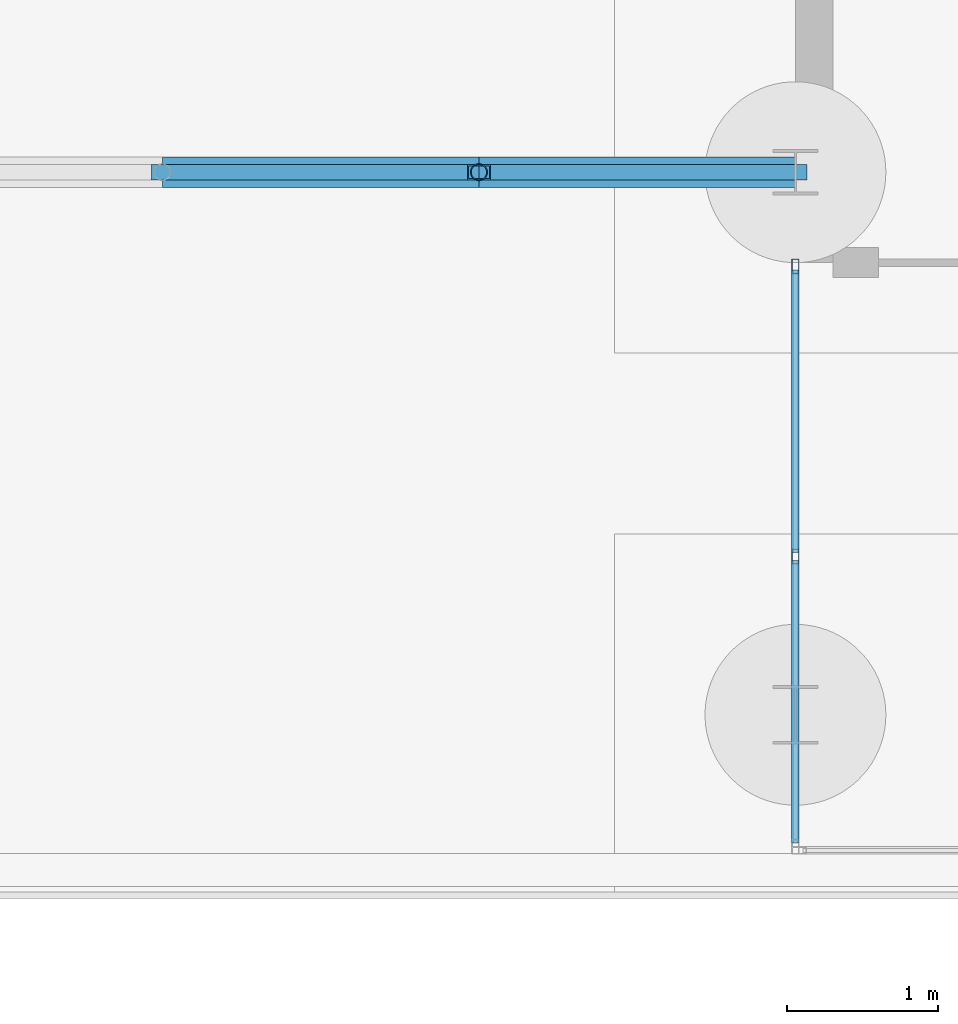
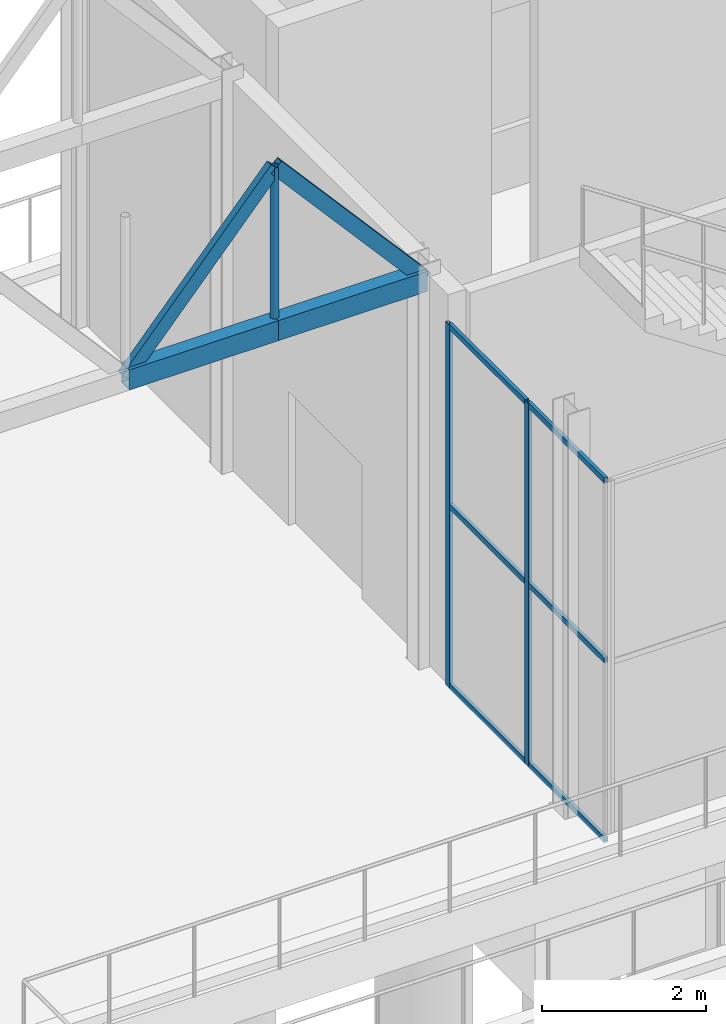
# One storey, part 121 of 212: 13 members, 1 element without a shape of its own.
"""IFC4 building model written with IfcOpenShell, lengths in metres."""

from ifc_helpers import new_model, si_unit, direction, frame, origin, origin_2d, place, context, subcontext, project, spatial, hollow_rectangle, hollow_circle, extrude, material, material_profile, profile_set, type_object, element, aggregate, save


model = new_model("IFC4")

# Units and contexts
model_context = context("Model", 3, precision=1e-05, world=origin(), true_north=direction((0.0, 1.0)))
body_context = subcontext(model_context, "Body", "Model", "MODEL_VIEW")
ifc_project = project(units=[si_unit("LENGTHUNIT", "METRE"), si_unit("AREAUNIT", "SQUARE_METRE"), si_unit("VOLUMEUNIT", "CUBIC_METRE"), si_unit("PLANEANGLEUNIT", "RADIAN"), si_unit("MASSUNIT", "GRAM", prefix="KILO")], contexts=[model_context])

# Site, building, storey
site_placement = place(None, origin())
site = spatial("IfcSite", under=ifc_project, at=site_placement, CompositionType="ELEMENT")
building_placement = place(site_placement, origin())
building = spatial("IfcBuilding", under=site, at=building_placement, Name="Catenary Quay Ferry Terminal", CompositionType="ELEMENT")
storey_placement = place(building_placement, origin())
storey = spatial("IfcBuildingStorey", under=building, at=storey_placement, Name="L00", CompositionType="ELEMENT", Elevation=0.0)

# Members
ifc_material_1 = material(Name="Steel S355", Category="steel")
ifc_material_profile_1 = material_profile(ifc_material_1, hollow_rectangle(XDim=0.10009765625, YDim=0.199951171875, WallThickness=0.008056640625, at=origin_2d()), Name="RHS 200x100x8")
ifc_profile_set_1 = profile_set([ifc_material_profile_1], Name="Steel S355")
member_type_1 = type_object("IfcMemberType", Name="BR3 RHS 200x100x8", PredefinedType="BRACE", material=ifc_profile_set_1)
member_1_placement = place(storey_placement, frame((121.800048828125, 90.0, 5.699951171875), z_axis=(0.658455827614, 0.0, 0.752619374639), x_axis=(0.0, 1.0, 0.0)))
element("IfcMember", 1, at=member_1_placement, inside=storey, type_object=member_type_1, Name="Bridge diagonal BB2S-D15", PredefinedType="BRACE", context=body_context, shape_type="SweptSolid", body=[
    extrude(hollow_rectangle(XDim=0.10009765625, YDim=0.199951171875, WallThickness=0.008056640625, at=origin_2d()), origin(), (0.0, 0.0, 1.0), 3.18896484375),
])
member_2_placement = place(storey_placement, frame((123.89990234375, 90.0, 8.10009765625), z_axis=(0.65849918825, 0.0, -0.752581436839), x_axis=(0.0, 1.0, 0.0)))
element("IfcMember", 2, at=member_2_placement, inside=storey, type_object=member_type_1, Name="Bridge diagonal BB2S-D16", PredefinedType="BRACE", context=body_context, shape_type="SweptSolid", body=[
    extrude(hollow_rectangle(XDim=0.10009765625, YDim=0.199951171875, WallThickness=0.008056640625, at=origin_2d()), origin(), (0.0, 0.0, 1.0), 3.189208984375),
])
ifc_material_2 = material(Name="Steel S355", Category="steel")
ifc_material_profile_2 = material_profile(ifc_material_2, hollow_circle(Radius=0.05712890625, WallThickness=0.00634765625, at=origin_2d()), Name="CHS 114.3x6.3")
ifc_profile_set_2 = profile_set([ifc_material_profile_2], Name="Steel S355")
member_type_2 = type_object("IfcMemberType", Name="HG1 CHS 114.3x6.3", PredefinedType="POST", material=ifc_profile_set_2)
member_3_placement = place(storey_placement, frame((123.89990234375, 90.0, 5.699951171875), z_axis=(0.0, 0.0, 1.0), x_axis=(1.0, 0.0, 0.0)))
element("IfcMember", 3, at=member_3_placement, inside=storey, type_object=member_type_2, Name="Bridge post BB2S-P16", PredefinedType="POST", context=body_context, shape_type="SweptSolid", body=[
    extrude(hollow_circle(Radius=0.05712890625, WallThickness=0.00634765625, at=origin_2d()), origin(), (0.0, 0.0, 1.0), 2.400146484375),
])

# Curtain wall, members
ifc_material_3 = material(Name="Aluminium and glass", Category="aluminium")
curtain_wall_type = type_object("IfcCurtainWallType", Name="CWK", PredefinedType="NOTDEFINED", material=ifc_material_3)
curtain_wall_placement = place(storey_placement, origin())
curtain_wall = element("IfcCurtainWall", 4, at=curtain_wall_placement, inside=storey, type_object=curtain_wall_type, Name="Head berth 2 stair curtain wall CW86", PredefinedType="NOTDEFINED")
ifc_material_4 = material(Name="Aluminium", Category="aluminium")
ifc_material_profile_3 = material_profile(ifc_material_4, hollow_rectangle(XDim=0.050048828125, YDim=0.10009765625, WallThickness=0.0048828125, at=origin_2d()), Name="MU1")
ifc_profile_set_3 = profile_set([ifc_material_profile_3], Name="Aluminium")
member_type_3 = type_object("IfcMemberType", Name="MU1", PredefinedType="MULLION", material=ifc_profile_set_3)
member_4_placement = place(storey_placement, frame((126.0, 87.449951171875, 0.0), z_axis=(0.0, 0.0, 1.0), x_axis=(-1.0, 0.0, 0.0)))
member_4 = element("IfcMember", 5, at=member_4_placement, type_object=member_type_3, Name="CW86 mullion 2", PredefinedType="MULLION", context=body_context, shape_type="SweptSolid", body=[
    extrude(hollow_rectangle(XDim=0.050048828125, YDim=0.10009765625, WallThickness=0.0048828125, at=origin_2d()), origin(), (0.0, 0.0, 1.0), 5.39990234375),
])
member_5_placement = place(storey_placement, frame((126.0, 89.375, 0.0), z_axis=(0.0, 0.0, 1.0), x_axis=(-1.0, 0.0, 0.0)))
member_5 = element("IfcMember", 6, at=member_5_placement, type_object=member_type_3, Name="CW86 mullion 3", PredefinedType="MULLION", context=body_context, shape_type="SweptSolid", body=[
    extrude(hollow_rectangle(XDim=0.050048828125, YDim=0.10009765625, WallThickness=0.0048828125, at=origin_2d()), origin(), (0.0, 0.0, 1.0), 5.39990234375),
])

# Members
ifc_material_5 = material(Name="Steel S355", Category="steel")
ifc_material_profile_4 = material_profile(ifc_material_5, hollow_rectangle(XDim=0.199951171875, YDim=0.300048828125, WallThickness=0.012451171875, at=origin_2d()), Name="RHS 300x200x12.5")
ifc_profile_set_4 = profile_set([ifc_material_profile_4], Name="Steel S355")
member_type_4 = type_object("IfcMemberType", Name="TC1 RHS 300x200x12.5", PredefinedType="CHORD", material=ifc_profile_set_4)
member_6_placement = place(storey_placement, frame((121.800048828125, 90.0, 5.699951171875), z_axis=(1.0, 0.0, 0.0), x_axis=(0.0, 1.0, 0.0)))
element("IfcMember", 7, at=member_6_placement, inside=storey, type_object=member_type_4, Name="Bridge bottom chord BB2S-BC15", PredefinedType="CHORD", context=body_context, shape_type="SweptSolid", body=[
    extrude(hollow_rectangle(XDim=0.199951171875, YDim=0.300048828125, WallThickness=0.012451171875, at=origin_2d()), origin(), (0.0, 0.0, 1.0), 2.099853515625),
])
member_7_placement = place(storey_placement, frame((123.89990234375, 90.0, 5.699951171875), z_axis=(1.0, 0.0, 0.0), x_axis=(0.0, 1.0, 0.0)))
element("IfcMember", 8, at=member_7_placement, inside=storey, type_object=member_type_4, Name="Bridge bottom chord BB2S-BC16", PredefinedType="CHORD", context=body_context, shape_type="SweptSolid", body=[
    extrude(hollow_rectangle(XDim=0.199951171875, YDim=0.300048828125, WallThickness=0.012451171875, at=origin_2d()), origin(), (0.0, 0.0, 1.0), 2.10009765625),
])

# Member
ifc_material_6 = material(Name="Aluminium", Category="aluminium")
ifc_material_profile_5 = material_profile(ifc_material_6, hollow_rectangle(XDim=0.050048828125, YDim=0.080078125, WallThickness=0.00390625, at=origin_2d()), Name="TR1")
ifc_profile_set_5 = profile_set([ifc_material_profile_5], Name="Aluminium")
member_type_5 = type_object("IfcMemberType", Name="TR1", PredefinedType="USERDEFINED", material=ifc_profile_set_5)
member_8_placement = place(storey_placement, frame((126.0, 85.550048828125, 0.02490234375), z_axis=(0.0, 1.0, 0.0), x_axis=(-1.0, 0.0, 0.0)))
member_8 = element("IfcMember", 9, at=member_8_placement, type_object=member_type_5, Name="CW86 transom 1.1", ObjectType="TRANSOM", PredefinedType="USERDEFINED", context=body_context, shape_type="SweptSolid", body=[
    extrude(hollow_rectangle(XDim=0.050048828125, YDim=0.080078125, WallThickness=0.00390625, at=origin_2d()), origin(), (0.0, 0.0, 1.0), 1.875),
])

member_9_placement = place(storey_placement, frame((126.0, 85.550048828125, 2.699951171875), z_axis=(0.0, 1.0, 0.0), x_axis=(-1.0, 0.0, 0.0)))
member_9 = element("IfcMember", 10, at=member_9_placement, type_object=member_type_5, Name="CW86 transom 1.2", ObjectType="TRANSOM", PredefinedType="USERDEFINED", context=body_context, shape_type="SweptSolid", body=[
    extrude(hollow_rectangle(XDim=0.050048828125, YDim=0.080078125, WallThickness=0.00390625, at=origin_2d()), origin(), (0.0, 0.0, 1.0), 1.875),
])

member_10_placement = place(storey_placement, frame((126.0, 85.550048828125, 5.375), z_axis=(0.0, 1.0, 0.0), x_axis=(-1.0, 0.0, 0.0)))
member_10 = element("IfcMember", 11, at=member_10_placement, type_object=member_type_5, Name="CW86 transom 1.3", ObjectType="TRANSOM", PredefinedType="USERDEFINED", context=body_context, shape_type="SweptSolid", body=[
    extrude(hollow_rectangle(XDim=0.050048828125, YDim=0.080078125, WallThickness=0.00390625, at=origin_2d()), origin(), (0.0, 0.0, 1.0), 1.875),
])

member_11_placement = place(storey_placement, frame((126.0, 87.47509765625, 0.02490234375), z_axis=(0.0, 1.0, 0.0), x_axis=(-1.0, 0.0, 0.0)))
member_11 = element("IfcMember", 12, at=member_11_placement, type_object=member_type_5, Name="CW86 transom 2.1", ObjectType="TRANSOM", PredefinedType="USERDEFINED", context=body_context, shape_type="SweptSolid", body=[
    extrude(hollow_rectangle(XDim=0.050048828125, YDim=0.080078125, WallThickness=0.00390625, at=origin_2d()), origin(), (0.0, 0.0, 1.0), 1.875),
])

member_12_placement = place(storey_placement, frame((126.0, 87.47509765625, 2.699951171875), z_axis=(0.0, 1.0, 0.0), x_axis=(-1.0, 0.0, 0.0)))
member_12 = element("IfcMember", 13, at=member_12_placement, type_object=member_type_5, Name="CW86 transom 2.2", ObjectType="TRANSOM", PredefinedType="USERDEFINED", context=body_context, shape_type="SweptSolid", body=[
    extrude(hollow_rectangle(XDim=0.050048828125, YDim=0.080078125, WallThickness=0.00390625, at=origin_2d()), origin(), (0.0, 0.0, 1.0), 1.875),
])

member_13_placement = place(storey_placement, frame((126.0, 87.47509765625, 5.375), z_axis=(0.0, 1.0, 0.0), x_axis=(-1.0, 0.0, 0.0)))
member_13 = element("IfcMember", 14, at=member_13_placement, type_object=member_type_5, Name="CW86 transom 2.3", ObjectType="TRANSOM", PredefinedType="USERDEFINED", context=body_context, shape_type="SweptSolid", body=[
    extrude(hollow_rectangle(XDim=0.050048828125, YDim=0.080078125, WallThickness=0.00390625, at=origin_2d()), origin(), (0.0, 0.0, 1.0), 1.875),
])

aggregate(curtain_wall, [member_4, member_5, member_8, member_9, member_10, member_11, member_12, member_13])

save(model, "model.ifc")
